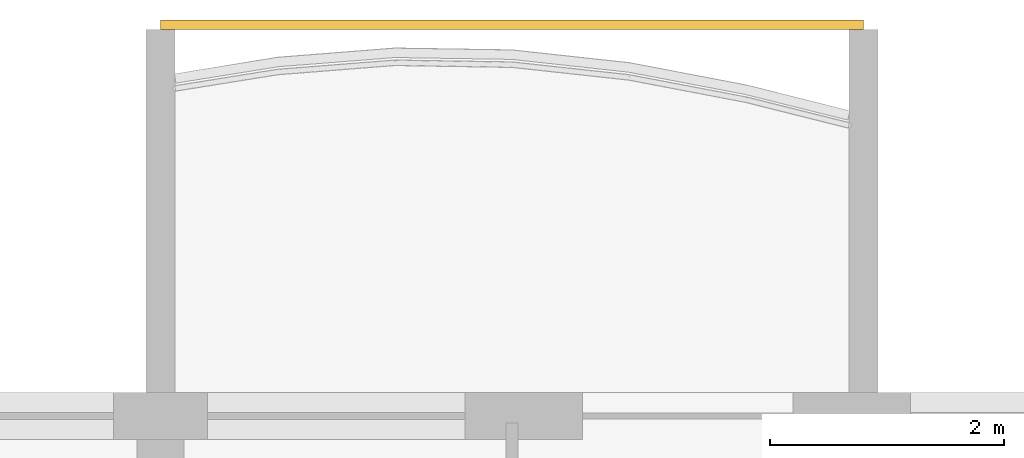
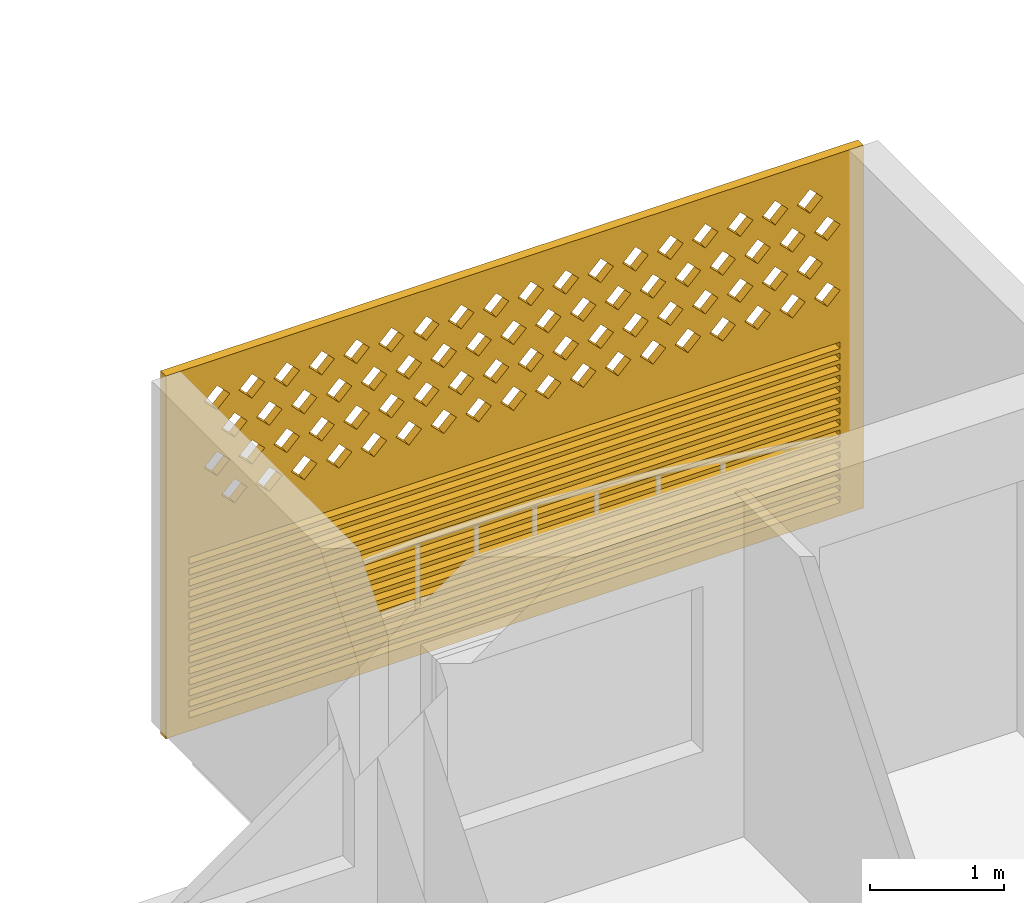
# One storey, part 29 of 38: 1 covering.
"""IFC4 building model written with IfcOpenShell, lengths in metres."""

from ifc_helpers import new_model, si_unit, direction, frame, origin, place, context, subcontext, project, spatial, polyline, outline, extrude, source, transform, mapped, material, material_profile, profile_set, type_object, element, save


model = new_model("IFC4")

# Units and contexts
model_context = context("Model", 3, precision=1e-05, world=origin(), true_north=direction((0.0, 1.0)))
body_context = subcontext(model_context, "Body", "Model", "MODEL_VIEW")
ifc_project = project(units=[si_unit("LENGTHUNIT", "METRE"), si_unit("AREAUNIT", "SQUARE_METRE"), si_unit("VOLUMEUNIT", "CUBIC_METRE"), si_unit("PLANEANGLEUNIT", "RADIAN"), si_unit("MASSUNIT", "GRAM", prefix="KILO")], contexts=[model_context])

# Site, building, storey
site_placement = place(None, origin())
site = spatial("IfcSite", under=ifc_project, at=site_placement, CompositionType="ELEMENT")
building_placement = place(site_placement, origin())
building = spatial("IfcBuilding", under=site, at=building_placement, Name="Poui Terraces", CompositionType="ELEMENT")
storey_placement = place(building_placement, frame((0.0, 0.0, 46.5)))
storey = spatial("IfcBuildingStorey", under=building, at=storey_placement, Name="L12", CompositionType="ELEMENT", Elevation=46.5)

# Covering
ifc_material = material(Name="Terracotta screen", Category="masonry")
ifc_material_profile = material_profile(ifc_material, outline(polyline([(-3.0, -1.64990234375), (3.0, -1.64990234375), (3.0, 1.64990234375), (-3.0, 1.64990234375), (-3.0, -1.64990234375)]), holes=[polyline([(-2.800048828125, 0.39990234375), (-2.68994140625, 0.2900390625), (-2.580078125, 0.39990234375), (-2.68994140625, 0.510009765625), (-2.800048828125, 0.39990234375)]), polyline([(-2.5, 0.39990234375), (-2.389892578125, 0.2900390625), (-2.280029296875, 0.39990234375), (-2.389892578125, 0.510009765625), (-2.5, 0.39990234375)]), polyline([(-2.199951171875, 0.39990234375), (-2.090087890625, 0.2900390625), (-1.97998046875, 0.39990234375), (-2.090087890625, 0.510009765625), (-2.199951171875, 0.39990234375)]), polyline([(-1.89990234375, 0.39990234375), (-1.7900390625, 0.2900390625), (-1.679931640625, 0.39990234375), (-1.7900390625, 0.510009765625), (-1.89990234375, 0.39990234375)]), polyline([(-1.60009765625, 0.39990234375), (-1.489990234375, 0.2900390625), (-1.3798828125, 0.39990234375), (-1.489990234375, 0.510009765625), (-1.60009765625, 0.39990234375)]), polyline([(-1.300048828125, 0.39990234375), (-1.18994140625, 0.2900390625), (-1.080078125, 0.39990234375), (-1.18994140625, 0.510009765625), (-1.300048828125, 0.39990234375)]), polyline([(-1.0, 0.39990234375), (-0.889892578125, 0.2900390625), (-0.780029296875, 0.39990234375), (-0.889892578125, 0.510009765625), (-1.0, 0.39990234375)]), polyline([(-0.699951171875, 0.39990234375), (-0.590087890625, 0.2900390625), (-0.47998046875, 0.39990234375), (-0.590087890625, 0.510009765625), (-0.699951171875, 0.39990234375)]), polyline([(-0.39990234375, 0.39990234375), (-0.2900390625, 0.2900390625), (-0.179931640625, 0.39990234375), (-0.2900390625, 0.510009765625), (-0.39990234375, 0.39990234375)]), polyline([(-0.10009765625, 0.39990234375), (0.010009765625, 0.2900390625), (0.1201171875, 0.39990234375), (0.010009765625, 0.510009765625), (-0.10009765625, 0.39990234375)]), polyline([(0.199951171875, 0.39990234375), (0.31005859375, 0.2900390625), (0.419921875, 0.39990234375), (0.31005859375, 0.510009765625), (0.199951171875, 0.39990234375)]), polyline([(0.5, 0.39990234375), (0.610107421875, 0.2900390625), (0.719970703125, 0.39990234375), (0.610107421875, 0.510009765625), (0.5, 0.39990234375)]), polyline([(0.800048828125, 0.39990234375), (0.909912109375, 0.2900390625), (1.02001953125, 0.39990234375), (0.909912109375, 0.510009765625), (0.800048828125, 0.39990234375)]), polyline([(1.10009765625, 0.39990234375), (1.2099609375, 0.2900390625), (1.320068359375, 0.39990234375), (1.2099609375, 0.510009765625), (1.10009765625, 0.39990234375)]), polyline([(1.39990234375, 0.39990234375), (1.510009765625, 0.2900390625), (1.6201171875, 0.39990234375), (1.510009765625, 0.510009765625), (1.39990234375, 0.39990234375)]), polyline([(1.699951171875, 0.39990234375), (1.81005859375, 0.2900390625), (1.919921875, 0.39990234375), (1.81005859375, 0.510009765625), (1.699951171875, 0.39990234375)]), polyline([(2.0, 0.39990234375), (2.110107421875, 0.2900390625), (2.219970703125, 0.39990234375), (2.110107421875, 0.510009765625), (2.0, 0.39990234375)]), polyline([(2.300048828125, 0.39990234375), (2.409912109375, 0.2900390625), (2.52001953125, 0.39990234375), (2.409912109375, 0.510009765625), (2.300048828125, 0.39990234375)]), polyline([(-2.64990234375, 0.699951171875), (-2.5400390625, 0.590087890625), (-2.429931640625, 0.699951171875), (-2.5400390625, 0.81005859375), (-2.64990234375, 0.699951171875)]), polyline([(-2.35009765625, 0.699951171875), (-2.239990234375, 0.590087890625), (-2.1298828125, 0.699951171875), (-2.239990234375, 0.81005859375), (-2.35009765625, 0.699951171875)]), polyline([(-2.050048828125, 0.699951171875), (-1.93994140625, 0.590087890625), (-1.830078125, 0.699951171875), (-1.93994140625, 0.81005859375), (-2.050048828125, 0.699951171875)]), polyline([(-1.75, 0.699951171875), (-1.639892578125, 0.590087890625), (-1.530029296875, 0.699951171875), (-1.639892578125, 0.81005859375), (-1.75, 0.699951171875)]), polyline([(-1.449951171875, 0.699951171875), (-1.340087890625, 0.590087890625), (-1.22998046875, 0.699951171875), (-1.340087890625, 0.81005859375), (-1.449951171875, 0.699951171875)]), polyline([(-1.14990234375, 0.699951171875), (-1.0400390625, 0.590087890625), (-0.929931640625, 0.699951171875), (-1.0400390625, 0.81005859375), (-1.14990234375, 0.699951171875)]), polyline([(-0.85009765625, 0.699951171875), (-0.739990234375, 0.590087890625), (-0.6298828125, 0.699951171875), (-0.739990234375, 0.81005859375), (-0.85009765625, 0.699951171875)]), polyline([(-0.550048828125, 0.699951171875), (-0.43994140625, 0.590087890625), (-0.330078125, 0.699951171875), (-0.43994140625, 0.81005859375), (-0.550048828125, 0.699951171875)]), polyline([(-0.25, 0.699951171875), (-0.139892578125, 0.590087890625), (-0.030029296875, 0.699951171875), (-0.139892578125, 0.81005859375), (-0.25, 0.699951171875)]), polyline([(0.050048828125, 0.699951171875), (0.159912109375, 0.590087890625), (0.27001953125, 0.699951171875), (0.159912109375, 0.81005859375), (0.050048828125, 0.699951171875)]), polyline([(0.35009765625, 0.699951171875), (0.4599609375, 0.590087890625), (0.570068359375, 0.699951171875), (0.4599609375, 0.81005859375), (0.35009765625, 0.699951171875)]), polyline([(0.64990234375, 0.699951171875), (0.760009765625, 0.590087890625), (0.8701171875, 0.699951171875), (0.760009765625, 0.81005859375), (0.64990234375, 0.699951171875)]), polyline([(0.949951171875, 0.699951171875), (1.06005859375, 0.590087890625), (1.169921875, 0.699951171875), (1.06005859375, 0.81005859375), (0.949951171875, 0.699951171875)]), polyline([(1.25, 0.699951171875), (1.360107421875, 0.590087890625), (1.469970703125, 0.699951171875), (1.360107421875, 0.81005859375), (1.25, 0.699951171875)]), polyline([(1.550048828125, 0.699951171875), (1.659912109375, 0.590087890625), (1.77001953125, 0.699951171875), (1.659912109375, 0.81005859375), (1.550048828125, 0.699951171875)]), polyline([(1.85009765625, 0.699951171875), (1.9599609375, 0.590087890625), (2.070068359375, 0.699951171875), (1.9599609375, 0.81005859375), (1.85009765625, 0.699951171875)]), polyline([(2.14990234375, 0.699951171875), (2.260009765625, 0.590087890625), (2.3701171875, 0.699951171875), (2.260009765625, 0.81005859375), (2.14990234375, 0.699951171875)]), polyline([(2.449951171875, 0.699951171875), (2.56005859375, 0.590087890625), (2.669921875, 0.699951171875), (2.56005859375, 0.81005859375), (2.449951171875, 0.699951171875)]), polyline([(-2.800048828125, 1.0), (-2.68994140625, 0.889892578125), (-2.580078125, 1.0), (-2.68994140625, 1.110107421875), (-2.800048828125, 1.0)]), polyline([(-2.5, 1.0), (-2.389892578125, 0.889892578125), (-2.280029296875, 1.0), (-2.389892578125, 1.110107421875), (-2.5, 1.0)]), polyline([(-2.199951171875, 1.0), (-2.090087890625, 0.889892578125), (-1.97998046875, 1.0), (-2.090087890625, 1.110107421875), (-2.199951171875, 1.0)]), polyline([(-1.89990234375, 1.0), (-1.7900390625, 0.889892578125), (-1.679931640625, 1.0), (-1.7900390625, 1.110107421875), (-1.89990234375, 1.0)]), polyline([(-1.60009765625, 1.0), (-1.489990234375, 0.889892578125), (-1.3798828125, 1.0), (-1.489990234375, 1.110107421875), (-1.60009765625, 1.0)]), polyline([(-1.300048828125, 1.0), (-1.18994140625, 0.889892578125), (-1.080078125, 1.0), (-1.18994140625, 1.110107421875), (-1.300048828125, 1.0)]), polyline([(-1.0, 1.0), (-0.889892578125, 0.889892578125), (-0.780029296875, 1.0), (-0.889892578125, 1.110107421875), (-1.0, 1.0)]), polyline([(-0.699951171875, 1.0), (-0.590087890625, 0.889892578125), (-0.47998046875, 1.0), (-0.590087890625, 1.110107421875), (-0.699951171875, 1.0)]), polyline([(-0.39990234375, 1.0), (-0.2900390625, 0.889892578125), (-0.179931640625, 1.0), (-0.2900390625, 1.110107421875), (-0.39990234375, 1.0)]), polyline([(-0.10009765625, 1.0), (0.010009765625, 0.889892578125), (0.1201171875, 1.0), (0.010009765625, 1.110107421875), (-0.10009765625, 1.0)]), polyline([(0.199951171875, 1.0), (0.31005859375, 0.889892578125), (0.419921875, 1.0), (0.31005859375, 1.110107421875), (0.199951171875, 1.0)]), polyline([(0.5, 1.0), (0.610107421875, 0.889892578125), (0.719970703125, 1.0), (0.610107421875, 1.110107421875), (0.5, 1.0)]), polyline([(0.800048828125, 1.0), (0.909912109375, 0.889892578125), (1.02001953125, 1.0), (0.909912109375, 1.110107421875), (0.800048828125, 1.0)]), polyline([(1.10009765625, 1.0), (1.2099609375, 0.889892578125), (1.320068359375, 1.0), (1.2099609375, 1.110107421875), (1.10009765625, 1.0)]), polyline([(1.39990234375, 1.0), (1.510009765625, 0.889892578125), (1.6201171875, 1.0), (1.510009765625, 1.110107421875), (1.39990234375, 1.0)]), polyline([(1.699951171875, 1.0), (1.81005859375, 0.889892578125), (1.919921875, 1.0), (1.81005859375, 1.110107421875), (1.699951171875, 1.0)]), polyline([(2.0, 1.0), (2.110107421875, 0.889892578125), (2.219970703125, 1.0), (2.110107421875, 1.110107421875), (2.0, 1.0)]), polyline([(2.300048828125, 1.0), (2.409912109375, 0.889892578125), (2.52001953125, 1.0), (2.409912109375, 1.110107421875), (2.300048828125, 1.0)]), polyline([(-2.64990234375, 1.300048828125), (-2.5400390625, 1.18994140625), (-2.429931640625, 1.300048828125), (-2.5400390625, 1.409912109375), (-2.64990234375, 1.300048828125)]), polyline([(-2.35009765625, 1.300048828125), (-2.239990234375, 1.18994140625), (-2.1298828125, 1.300048828125), (-2.239990234375, 1.409912109375), (-2.35009765625, 1.300048828125)]), polyline([(-2.050048828125, 1.300048828125), (-1.93994140625, 1.18994140625), (-1.830078125, 1.300048828125), (-1.93994140625, 1.409912109375), (-2.050048828125, 1.300048828125)]), polyline([(-1.75, 1.300048828125), (-1.639892578125, 1.18994140625), (-1.530029296875, 1.300048828125), (-1.639892578125, 1.409912109375), (-1.75, 1.300048828125)]), polyline([(-1.449951171875, 1.300048828125), (-1.340087890625, 1.18994140625), (-1.22998046875, 1.300048828125), (-1.340087890625, 1.409912109375), (-1.449951171875, 1.300048828125)]), polyline([(-1.14990234375, 1.300048828125), (-1.0400390625, 1.18994140625), (-0.929931640625, 1.300048828125), (-1.0400390625, 1.409912109375), (-1.14990234375, 1.300048828125)]), polyline([(-0.85009765625, 1.300048828125), (-0.739990234375, 1.18994140625), (-0.6298828125, 1.300048828125), (-0.739990234375, 1.409912109375), (-0.85009765625, 1.300048828125)]), polyline([(-0.550048828125, 1.300048828125), (-0.43994140625, 1.18994140625), (-0.330078125, 1.300048828125), (-0.43994140625, 1.409912109375), (-0.550048828125, 1.300048828125)]), polyline([(-0.25, 1.300048828125), (-0.139892578125, 1.18994140625), (-0.030029296875, 1.300048828125), (-0.139892578125, 1.409912109375), (-0.25, 1.300048828125)]), polyline([(0.050048828125, 1.300048828125), (0.159912109375, 1.18994140625), (0.27001953125, 1.300048828125), (0.159912109375, 1.409912109375), (0.050048828125, 1.300048828125)]), polyline([(0.35009765625, 1.300048828125), (0.4599609375, 1.18994140625), (0.570068359375, 1.300048828125), (0.4599609375, 1.409912109375), (0.35009765625, 1.300048828125)]), polyline([(0.64990234375, 1.300048828125), (0.760009765625, 1.18994140625), (0.8701171875, 1.300048828125), (0.760009765625, 1.409912109375), (0.64990234375, 1.300048828125)]), polyline([(0.949951171875, 1.300048828125), (1.06005859375, 1.18994140625), (1.169921875, 1.300048828125), (1.06005859375, 1.409912109375), (0.949951171875, 1.300048828125)]), polyline([(1.25, 1.300048828125), (1.360107421875, 1.18994140625), (1.469970703125, 1.300048828125), (1.360107421875, 1.409912109375), (1.25, 1.300048828125)]), polyline([(1.550048828125, 1.300048828125), (1.659912109375, 1.18994140625), (1.77001953125, 1.300048828125), (1.659912109375, 1.409912109375), (1.550048828125, 1.300048828125)]), polyline([(1.85009765625, 1.300048828125), (1.9599609375, 1.18994140625), (2.070068359375, 1.300048828125), (1.9599609375, 1.409912109375), (1.85009765625, 1.300048828125)]), polyline([(2.14990234375, 1.300048828125), (2.260009765625, 1.18994140625), (2.3701171875, 1.300048828125), (2.260009765625, 1.409912109375), (2.14990234375, 1.300048828125)]), polyline([(2.449951171875, 1.300048828125), (2.56005859375, 1.18994140625), (2.669921875, 1.300048828125), (2.56005859375, 1.409912109375), (2.449951171875, 1.300048828125)]), polyline([(-2.800048828125, -1.530029296875), (2.800048828125, -1.530029296875), (2.800048828125, -1.469970703125), (-2.800048828125, -1.469970703125), (-2.800048828125, -1.530029296875)]), polyline([(-2.800048828125, -1.429931640625), (2.800048828125, -1.429931640625), (2.800048828125, -1.3701171875), (-2.800048828125, -1.3701171875), (-2.800048828125, -1.429931640625)]), polyline([(-2.800048828125, -1.330078125), (2.800048828125, -1.330078125), (2.800048828125, -1.27001953125), (-2.800048828125, -1.27001953125), (-2.800048828125, -1.330078125)]), polyline([(-2.800048828125, -1.22998046875), (2.800048828125, -1.22998046875), (2.800048828125, -1.169921875), (-2.800048828125, -1.169921875), (-2.800048828125, -1.22998046875)]), polyline([(-2.800048828125, -1.1298828125), (2.800048828125, -1.1298828125), (2.800048828125, -1.070068359375), (-2.800048828125, -1.070068359375), (-2.800048828125, -1.1298828125)]), polyline([(-2.800048828125, -1.030029296875), (2.800048828125, -1.030029296875), (2.800048828125, -0.969970703125), (-2.800048828125, -0.969970703125), (-2.800048828125, -1.030029296875)]), polyline([(-2.800048828125, -0.929931640625), (2.800048828125, -0.929931640625), (2.800048828125, -0.8701171875), (-2.800048828125, -0.8701171875), (-2.800048828125, -0.929931640625)]), polyline([(-2.800048828125, -0.830078125), (2.800048828125, -0.830078125), (2.800048828125, -0.77001953125), (-2.800048828125, -0.77001953125), (-2.800048828125, -0.830078125)]), polyline([(-2.800048828125, -0.72998046875), (2.800048828125, -0.72998046875), (2.800048828125, -0.669921875), (-2.800048828125, -0.669921875), (-2.800048828125, -0.72998046875)]), polyline([(-2.800048828125, -0.6298828125), (2.800048828125, -0.6298828125), (2.800048828125, -0.570068359375), (-2.800048828125, -0.570068359375), (-2.800048828125, -0.6298828125)]), polyline([(-2.800048828125, -0.530029296875), (2.800048828125, -0.530029296875), (2.800048828125, -0.469970703125), (-2.800048828125, -0.469970703125), (-2.800048828125, -0.530029296875)]), polyline([(-2.800048828125, -0.429931640625), (2.800048828125, -0.429931640625), (2.800048828125, -0.3701171875), (-2.800048828125, -0.3701171875), (-2.800048828125, -0.429931640625)]), polyline([(-2.800048828125, -0.330078125), (2.800048828125, -0.330078125), (2.800048828125, -0.27001953125), (-2.800048828125, -0.27001953125), (-2.800048828125, -0.330078125)]), polyline([(-2.800048828125, -0.22998046875), (2.800048828125, -0.22998046875), (2.800048828125, -0.169921875), (-2.800048828125, -0.169921875), (-2.800048828125, -0.22998046875)]), polyline([(-2.800048828125, -0.1298828125), (2.800048828125, -0.1298828125), (2.800048828125, -0.070068359375), (-2.800048828125, -0.070068359375), (-2.800048828125, -0.1298828125)])]), Name="TERRACOTTA SCREEN AND JALOUSIE LOUVRE 6000X3300")
ifc_profile_set = profile_set([ifc_material_profile], Name="Terracotta screen")
covering_type = type_object("IfcCoveringType", Name="TERRACOTTA SCREEN AND JALOUSIE LOUVRE 6000X3300", PredefinedType="CLADDING", material=ifc_profile_set)
shared_shape = source(origin(), body_context, "Body", "SweptSolid", [
    extrude(outline(polyline([(-3.0, -1.64990234375), (3.0, -1.64990234375), (3.0, 1.64990234375), (-3.0, 1.64990234375), (-3.0, -1.64990234375)]), holes=[polyline([(-2.800048828125, 0.39990234375), (-2.68994140625, 0.2900390625), (-2.580078125, 0.39990234375), (-2.68994140625, 0.510009765625), (-2.800048828125, 0.39990234375)]), polyline([(-2.5, 0.39990234375), (-2.389892578125, 0.2900390625), (-2.280029296875, 0.39990234375), (-2.389892578125, 0.510009765625), (-2.5, 0.39990234375)]), polyline([(-2.199951171875, 0.39990234375), (-2.090087890625, 0.2900390625), (-1.97998046875, 0.39990234375), (-2.090087890625, 0.510009765625), (-2.199951171875, 0.39990234375)]), polyline([(-1.89990234375, 0.39990234375), (-1.7900390625, 0.2900390625), (-1.679931640625, 0.39990234375), (-1.7900390625, 0.510009765625), (-1.89990234375, 0.39990234375)]), polyline([(-1.60009765625, 0.39990234375), (-1.489990234375, 0.2900390625), (-1.3798828125, 0.39990234375), (-1.489990234375, 0.510009765625), (-1.60009765625, 0.39990234375)]), polyline([(-1.300048828125, 0.39990234375), (-1.18994140625, 0.2900390625), (-1.080078125, 0.39990234375), (-1.18994140625, 0.510009765625), (-1.300048828125, 0.39990234375)]), polyline([(-1.0, 0.39990234375), (-0.889892578125, 0.2900390625), (-0.780029296875, 0.39990234375), (-0.889892578125, 0.510009765625), (-1.0, 0.39990234375)]), polyline([(-0.699951171875, 0.39990234375), (-0.590087890625, 0.2900390625), (-0.47998046875, 0.39990234375), (-0.590087890625, 0.510009765625), (-0.699951171875, 0.39990234375)]), polyline([(-0.39990234375, 0.39990234375), (-0.2900390625, 0.2900390625), (-0.179931640625, 0.39990234375), (-0.2900390625, 0.510009765625), (-0.39990234375, 0.39990234375)]), polyline([(-0.10009765625, 0.39990234375), (0.010009765625, 0.2900390625), (0.1201171875, 0.39990234375), (0.010009765625, 0.510009765625), (-0.10009765625, 0.39990234375)]), polyline([(0.199951171875, 0.39990234375), (0.31005859375, 0.2900390625), (0.419921875, 0.39990234375), (0.31005859375, 0.510009765625), (0.199951171875, 0.39990234375)]), polyline([(0.5, 0.39990234375), (0.610107421875, 0.2900390625), (0.719970703125, 0.39990234375), (0.610107421875, 0.510009765625), (0.5, 0.39990234375)]), polyline([(0.800048828125, 0.39990234375), (0.909912109375, 0.2900390625), (1.02001953125, 0.39990234375), (0.909912109375, 0.510009765625), (0.800048828125, 0.39990234375)]), polyline([(1.10009765625, 0.39990234375), (1.2099609375, 0.2900390625), (1.320068359375, 0.39990234375), (1.2099609375, 0.510009765625), (1.10009765625, 0.39990234375)]), polyline([(1.39990234375, 0.39990234375), (1.510009765625, 0.2900390625), (1.6201171875, 0.39990234375), (1.510009765625, 0.510009765625), (1.39990234375, 0.39990234375)]), polyline([(1.699951171875, 0.39990234375), (1.81005859375, 0.2900390625), (1.919921875, 0.39990234375), (1.81005859375, 0.510009765625), (1.699951171875, 0.39990234375)]), polyline([(2.0, 0.39990234375), (2.110107421875, 0.2900390625), (2.219970703125, 0.39990234375), (2.110107421875, 0.510009765625), (2.0, 0.39990234375)]), polyline([(2.300048828125, 0.39990234375), (2.409912109375, 0.2900390625), (2.52001953125, 0.39990234375), (2.409912109375, 0.510009765625), (2.300048828125, 0.39990234375)]), polyline([(-2.64990234375, 0.699951171875), (-2.5400390625, 0.590087890625), (-2.429931640625, 0.699951171875), (-2.5400390625, 0.81005859375), (-2.64990234375, 0.699951171875)]), polyline([(-2.35009765625, 0.699951171875), (-2.239990234375, 0.590087890625), (-2.1298828125, 0.699951171875), (-2.239990234375, 0.81005859375), (-2.35009765625, 0.699951171875)]), polyline([(-2.050048828125, 0.699951171875), (-1.93994140625, 0.590087890625), (-1.830078125, 0.699951171875), (-1.93994140625, 0.81005859375), (-2.050048828125, 0.699951171875)]), polyline([(-1.75, 0.699951171875), (-1.639892578125, 0.590087890625), (-1.530029296875, 0.699951171875), (-1.639892578125, 0.81005859375), (-1.75, 0.699951171875)]), polyline([(-1.449951171875, 0.699951171875), (-1.340087890625, 0.590087890625), (-1.22998046875, 0.699951171875), (-1.340087890625, 0.81005859375), (-1.449951171875, 0.699951171875)]), polyline([(-1.14990234375, 0.699951171875), (-1.0400390625, 0.590087890625), (-0.929931640625, 0.699951171875), (-1.0400390625, 0.81005859375), (-1.14990234375, 0.699951171875)]), polyline([(-0.85009765625, 0.699951171875), (-0.739990234375, 0.590087890625), (-0.6298828125, 0.699951171875), (-0.739990234375, 0.81005859375), (-0.85009765625, 0.699951171875)]), polyline([(-0.550048828125, 0.699951171875), (-0.43994140625, 0.590087890625), (-0.330078125, 0.699951171875), (-0.43994140625, 0.81005859375), (-0.550048828125, 0.699951171875)]), polyline([(-0.25, 0.699951171875), (-0.139892578125, 0.590087890625), (-0.030029296875, 0.699951171875), (-0.139892578125, 0.81005859375), (-0.25, 0.699951171875)]), polyline([(0.050048828125, 0.699951171875), (0.159912109375, 0.590087890625), (0.27001953125, 0.699951171875), (0.159912109375, 0.81005859375), (0.050048828125, 0.699951171875)]), polyline([(0.35009765625, 0.699951171875), (0.4599609375, 0.590087890625), (0.570068359375, 0.699951171875), (0.4599609375, 0.81005859375), (0.35009765625, 0.699951171875)]), polyline([(0.64990234375, 0.699951171875), (0.760009765625, 0.590087890625), (0.8701171875, 0.699951171875), (0.760009765625, 0.81005859375), (0.64990234375, 0.699951171875)]), polyline([(0.949951171875, 0.699951171875), (1.06005859375, 0.590087890625), (1.169921875, 0.699951171875), (1.06005859375, 0.81005859375), (0.949951171875, 0.699951171875)]), polyline([(1.25, 0.699951171875), (1.360107421875, 0.590087890625), (1.469970703125, 0.699951171875), (1.360107421875, 0.81005859375), (1.25, 0.699951171875)]), polyline([(1.550048828125, 0.699951171875), (1.659912109375, 0.590087890625), (1.77001953125, 0.699951171875), (1.659912109375, 0.81005859375), (1.550048828125, 0.699951171875)]), polyline([(1.85009765625, 0.699951171875), (1.9599609375, 0.590087890625), (2.070068359375, 0.699951171875), (1.9599609375, 0.81005859375), (1.85009765625, 0.699951171875)]), polyline([(2.14990234375, 0.699951171875), (2.260009765625, 0.590087890625), (2.3701171875, 0.699951171875), (2.260009765625, 0.81005859375), (2.14990234375, 0.699951171875)]), polyline([(2.449951171875, 0.699951171875), (2.56005859375, 0.590087890625), (2.669921875, 0.699951171875), (2.56005859375, 0.81005859375), (2.449951171875, 0.699951171875)]), polyline([(-2.800048828125, 1.0), (-2.68994140625, 0.889892578125), (-2.580078125, 1.0), (-2.68994140625, 1.110107421875), (-2.800048828125, 1.0)]), polyline([(-2.5, 1.0), (-2.389892578125, 0.889892578125), (-2.280029296875, 1.0), (-2.389892578125, 1.110107421875), (-2.5, 1.0)]), polyline([(-2.199951171875, 1.0), (-2.090087890625, 0.889892578125), (-1.97998046875, 1.0), (-2.090087890625, 1.110107421875), (-2.199951171875, 1.0)]), polyline([(-1.89990234375, 1.0), (-1.7900390625, 0.889892578125), (-1.679931640625, 1.0), (-1.7900390625, 1.110107421875), (-1.89990234375, 1.0)]), polyline([(-1.60009765625, 1.0), (-1.489990234375, 0.889892578125), (-1.3798828125, 1.0), (-1.489990234375, 1.110107421875), (-1.60009765625, 1.0)]), polyline([(-1.300048828125, 1.0), (-1.18994140625, 0.889892578125), (-1.080078125, 1.0), (-1.18994140625, 1.110107421875), (-1.300048828125, 1.0)]), polyline([(-1.0, 1.0), (-0.889892578125, 0.889892578125), (-0.780029296875, 1.0), (-0.889892578125, 1.110107421875), (-1.0, 1.0)]), polyline([(-0.699951171875, 1.0), (-0.590087890625, 0.889892578125), (-0.47998046875, 1.0), (-0.590087890625, 1.110107421875), (-0.699951171875, 1.0)]), polyline([(-0.39990234375, 1.0), (-0.2900390625, 0.889892578125), (-0.179931640625, 1.0), (-0.2900390625, 1.110107421875), (-0.39990234375, 1.0)]), polyline([(-0.10009765625, 1.0), (0.010009765625, 0.889892578125), (0.1201171875, 1.0), (0.010009765625, 1.110107421875), (-0.10009765625, 1.0)]), polyline([(0.199951171875, 1.0), (0.31005859375, 0.889892578125), (0.419921875, 1.0), (0.31005859375, 1.110107421875), (0.199951171875, 1.0)]), polyline([(0.5, 1.0), (0.610107421875, 0.889892578125), (0.719970703125, 1.0), (0.610107421875, 1.110107421875), (0.5, 1.0)]), polyline([(0.800048828125, 1.0), (0.909912109375, 0.889892578125), (1.02001953125, 1.0), (0.909912109375, 1.110107421875), (0.800048828125, 1.0)]), polyline([(1.10009765625, 1.0), (1.2099609375, 0.889892578125), (1.320068359375, 1.0), (1.2099609375, 1.110107421875), (1.10009765625, 1.0)]), polyline([(1.39990234375, 1.0), (1.510009765625, 0.889892578125), (1.6201171875, 1.0), (1.510009765625, 1.110107421875), (1.39990234375, 1.0)]), polyline([(1.699951171875, 1.0), (1.81005859375, 0.889892578125), (1.919921875, 1.0), (1.81005859375, 1.110107421875), (1.699951171875, 1.0)]), polyline([(2.0, 1.0), (2.110107421875, 0.889892578125), (2.219970703125, 1.0), (2.110107421875, 1.110107421875), (2.0, 1.0)]), polyline([(2.300048828125, 1.0), (2.409912109375, 0.889892578125), (2.52001953125, 1.0), (2.409912109375, 1.110107421875), (2.300048828125, 1.0)]), polyline([(-2.64990234375, 1.300048828125), (-2.5400390625, 1.18994140625), (-2.429931640625, 1.300048828125), (-2.5400390625, 1.409912109375), (-2.64990234375, 1.300048828125)]), polyline([(-2.35009765625, 1.300048828125), (-2.239990234375, 1.18994140625), (-2.1298828125, 1.300048828125), (-2.239990234375, 1.409912109375), (-2.35009765625, 1.300048828125)]), polyline([(-2.050048828125, 1.300048828125), (-1.93994140625, 1.18994140625), (-1.830078125, 1.300048828125), (-1.93994140625, 1.409912109375), (-2.050048828125, 1.300048828125)]), polyline([(-1.75, 1.300048828125), (-1.639892578125, 1.18994140625), (-1.530029296875, 1.300048828125), (-1.639892578125, 1.409912109375), (-1.75, 1.300048828125)]), polyline([(-1.449951171875, 1.300048828125), (-1.340087890625, 1.18994140625), (-1.22998046875, 1.300048828125), (-1.340087890625, 1.409912109375), (-1.449951171875, 1.300048828125)]), polyline([(-1.14990234375, 1.300048828125), (-1.0400390625, 1.18994140625), (-0.929931640625, 1.300048828125), (-1.0400390625, 1.409912109375), (-1.14990234375, 1.300048828125)]), polyline([(-0.85009765625, 1.300048828125), (-0.739990234375, 1.18994140625), (-0.6298828125, 1.300048828125), (-0.739990234375, 1.409912109375), (-0.85009765625, 1.300048828125)]), polyline([(-0.550048828125, 1.300048828125), (-0.43994140625, 1.18994140625), (-0.330078125, 1.300048828125), (-0.43994140625, 1.409912109375), (-0.550048828125, 1.300048828125)]), polyline([(-0.25, 1.300048828125), (-0.139892578125, 1.18994140625), (-0.030029296875, 1.300048828125), (-0.139892578125, 1.409912109375), (-0.25, 1.300048828125)]), polyline([(0.050048828125, 1.300048828125), (0.159912109375, 1.18994140625), (0.27001953125, 1.300048828125), (0.159912109375, 1.409912109375), (0.050048828125, 1.300048828125)]), polyline([(0.35009765625, 1.300048828125), (0.4599609375, 1.18994140625), (0.570068359375, 1.300048828125), (0.4599609375, 1.409912109375), (0.35009765625, 1.300048828125)]), polyline([(0.64990234375, 1.300048828125), (0.760009765625, 1.18994140625), (0.8701171875, 1.300048828125), (0.760009765625, 1.409912109375), (0.64990234375, 1.300048828125)]), polyline([(0.949951171875, 1.300048828125), (1.06005859375, 1.18994140625), (1.169921875, 1.300048828125), (1.06005859375, 1.409912109375), (0.949951171875, 1.300048828125)]), polyline([(1.25, 1.300048828125), (1.360107421875, 1.18994140625), (1.469970703125, 1.300048828125), (1.360107421875, 1.409912109375), (1.25, 1.300048828125)]), polyline([(1.550048828125, 1.300048828125), (1.659912109375, 1.18994140625), (1.77001953125, 1.300048828125), (1.659912109375, 1.409912109375), (1.550048828125, 1.300048828125)]), polyline([(1.85009765625, 1.300048828125), (1.9599609375, 1.18994140625), (2.070068359375, 1.300048828125), (1.9599609375, 1.409912109375), (1.85009765625, 1.300048828125)]), polyline([(2.14990234375, 1.300048828125), (2.260009765625, 1.18994140625), (2.3701171875, 1.300048828125), (2.260009765625, 1.409912109375), (2.14990234375, 1.300048828125)]), polyline([(2.449951171875, 1.300048828125), (2.56005859375, 1.18994140625), (2.669921875, 1.300048828125), (2.56005859375, 1.409912109375), (2.449951171875, 1.300048828125)]), polyline([(-2.800048828125, -1.530029296875), (2.800048828125, -1.530029296875), (2.800048828125, -1.469970703125), (-2.800048828125, -1.469970703125), (-2.800048828125, -1.530029296875)]), polyline([(-2.800048828125, -1.429931640625), (2.800048828125, -1.429931640625), (2.800048828125, -1.3701171875), (-2.800048828125, -1.3701171875), (-2.800048828125, -1.429931640625)]), polyline([(-2.800048828125, -1.330078125), (2.800048828125, -1.330078125), (2.800048828125, -1.27001953125), (-2.800048828125, -1.27001953125), (-2.800048828125, -1.330078125)]), polyline([(-2.800048828125, -1.22998046875), (2.800048828125, -1.22998046875), (2.800048828125, -1.169921875), (-2.800048828125, -1.169921875), (-2.800048828125, -1.22998046875)]), polyline([(-2.800048828125, -1.1298828125), (2.800048828125, -1.1298828125), (2.800048828125, -1.070068359375), (-2.800048828125, -1.070068359375), (-2.800048828125, -1.1298828125)]), polyline([(-2.800048828125, -1.030029296875), (2.800048828125, -1.030029296875), (2.800048828125, -0.969970703125), (-2.800048828125, -0.969970703125), (-2.800048828125, -1.030029296875)]), polyline([(-2.800048828125, -0.929931640625), (2.800048828125, -0.929931640625), (2.800048828125, -0.8701171875), (-2.800048828125, -0.8701171875), (-2.800048828125, -0.929931640625)]), polyline([(-2.800048828125, -0.830078125), (2.800048828125, -0.830078125), (2.800048828125, -0.77001953125), (-2.800048828125, -0.77001953125), (-2.800048828125, -0.830078125)]), polyline([(-2.800048828125, -0.72998046875), (2.800048828125, -0.72998046875), (2.800048828125, -0.669921875), (-2.800048828125, -0.669921875), (-2.800048828125, -0.72998046875)]), polyline([(-2.800048828125, -0.6298828125), (2.800048828125, -0.6298828125), (2.800048828125, -0.570068359375), (-2.800048828125, -0.570068359375), (-2.800048828125, -0.6298828125)]), polyline([(-2.800048828125, -0.530029296875), (2.800048828125, -0.530029296875), (2.800048828125, -0.469970703125), (-2.800048828125, -0.469970703125), (-2.800048828125, -0.530029296875)]), polyline([(-2.800048828125, -0.429931640625), (2.800048828125, -0.429931640625), (2.800048828125, -0.3701171875), (-2.800048828125, -0.3701171875), (-2.800048828125, -0.429931640625)]), polyline([(-2.800048828125, -0.330078125), (2.800048828125, -0.330078125), (2.800048828125, -0.27001953125), (-2.800048828125, -0.27001953125), (-2.800048828125, -0.330078125)]), polyline([(-2.800048828125, -0.22998046875), (2.800048828125, -0.22998046875), (2.800048828125, -0.169921875), (-2.800048828125, -0.169921875), (-2.800048828125, -0.22998046875)]), polyline([(-2.800048828125, -0.1298828125), (2.800048828125, -0.1298828125), (2.800048828125, -0.070068359375), (-2.800048828125, -0.070068359375), (-2.800048828125, -0.1298828125)])]), origin(), (0.0, 0.0, 1.0), 0.079833984375),
])
covering_placement = place(storey_placement, frame((57.0, 48.10009765625, 1.449951171875), z_axis=(0.0, 1.0, 0.0), x_axis=(-1.0, 0.0, 0.0)))
element("IfcCovering", 1, at=covering_placement, inside=storey, type_object=covering_type, Name="SOLAR SCREEN AND JALOUSIE LOUVRE", PredefinedType="CLADDING", context=body_context, shape_type="MappedRepresentation", body=[
    mapped(shared_shape, transform((0.0, 0.0, 0.0))),
])

save(model, "model.ifc")
